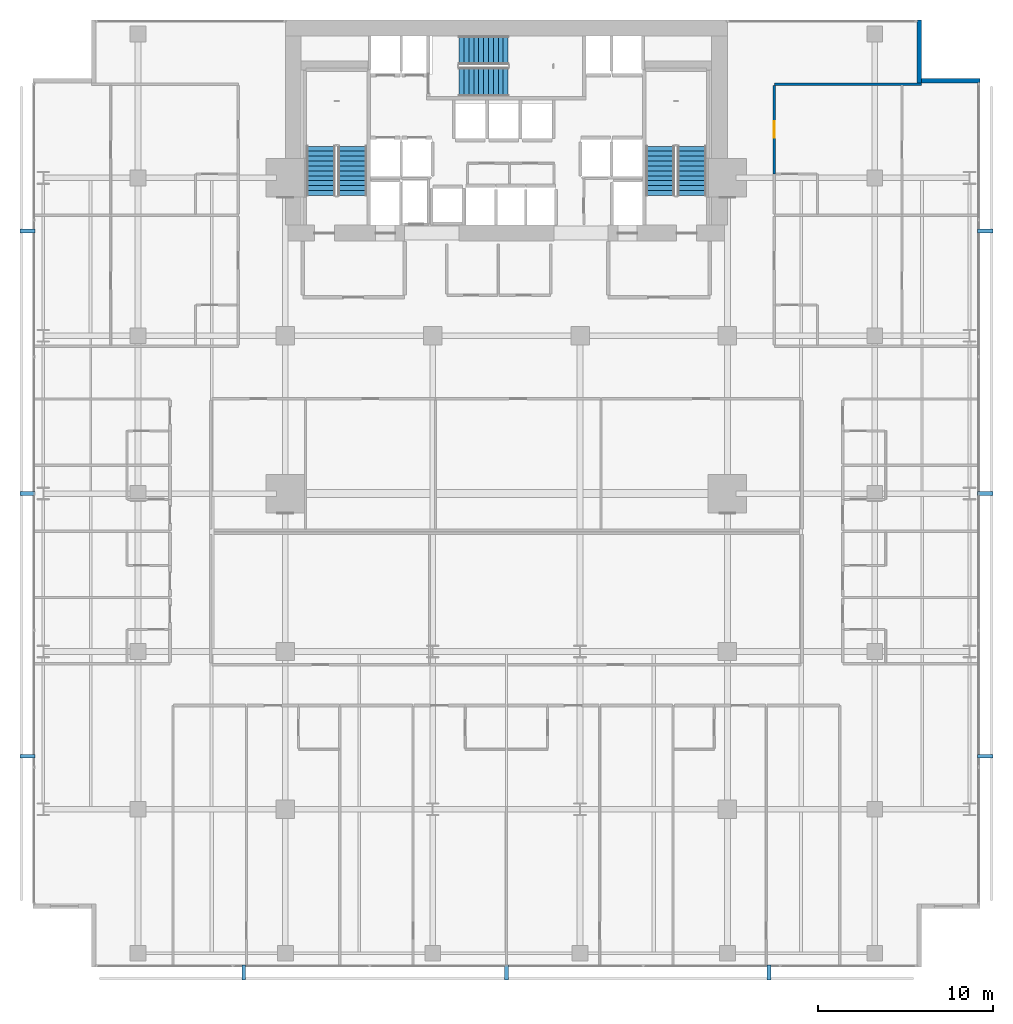
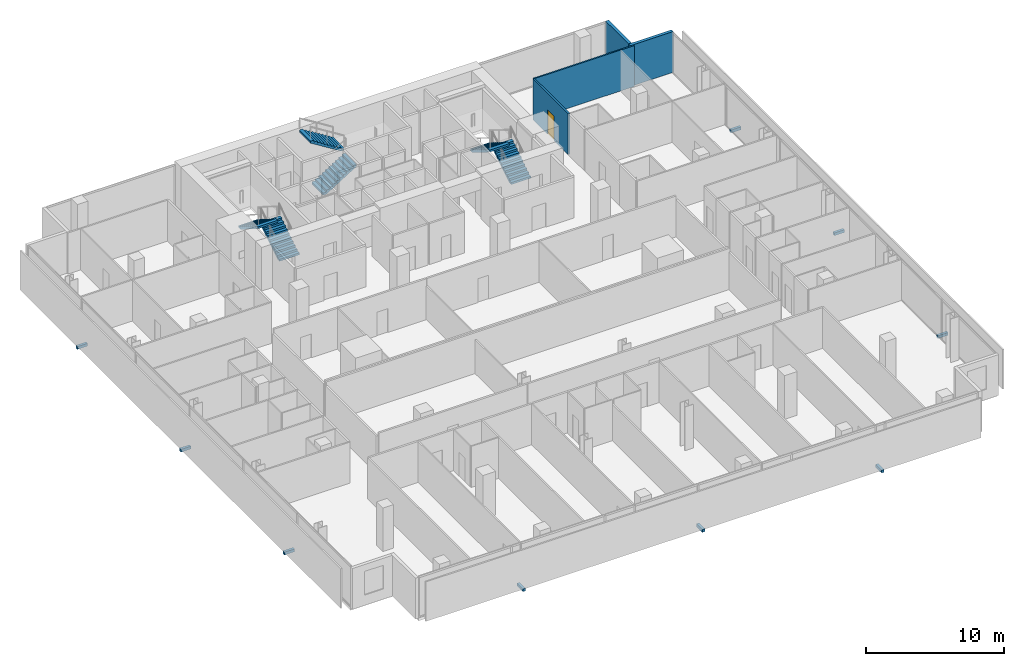
# One storey, part 38 of 40: 9 discrete accessories, 6 stair flights, 4 walls, 1 door, 1 opening, 3 elements without a shape of their own.
"""IFC4 building model written with IfcOpenShell, lengths in metres."""

from ifc_helpers import new_model, si_unit, direction, frame, frame_2d, origin, origin_2d, place, context, subcontext, project, spatial, polyline, rectangle, outline, extrude, material, layer, layer_set, type_object, element, fill, aggregate, save


model = new_model("IFC4")

# Units and contexts
model_context = context("Model", 3, precision=1e-05, world=origin(), true_north=direction((0.0, 1.0)))
body_context = subcontext(model_context, "Body", "Model", "MODEL_VIEW")
ifc_project = project(units=[si_unit("LENGTHUNIT", "METRE"), si_unit("AREAUNIT", "SQUARE_METRE"), si_unit("VOLUMEUNIT", "CUBIC_METRE"), si_unit("PLANEANGLEUNIT", "RADIAN"), si_unit("MASSUNIT", "GRAM", prefix="KILO")], contexts=[model_context])

# Site, building, storey
site_placement = place(None, origin())
site = spatial("IfcSite", under=ifc_project, at=site_placement, CompositionType="ELEMENT")
building_placement = place(site_placement, origin())
building = spatial("IfcBuilding", under=site, at=building_placement, Name="Maruvema Waterfront Hotel and Observation Tower", CompositionType="ELEMENT")
storey_placement = place(building_placement, frame((0.0, 0.0, 107.800048828125)))
storey = spatial("IfcBuildingStorey", under=building, at=storey_placement, Name="L26", CompositionType="ELEMENT", Elevation=107.800048828125)

# Wall, opening, door
ifc_material_1 = material(Name="Twin-stud acoustic gypsum drywall", Category="gypsum")
ifc_layer_1 = layer(ifc_material_1, 0.14990234375, Name="Acoustic Corridor and Suite Demising Wall 150 mm")
ifc_layer_set_1 = layer_set([ifc_layer_1], Name="Twin-stud acoustic gypsum drywall")
wall_type_1 = type_object("IfcWallType", Name="Acoustic Corridor and Suite Demising Wall 150 mm", PredefinedType="PARTITIONING", material=ifc_layer_set_1)
wall_1_placement = place(storey_placement, frame((53.080078125, 45.21875, 0.0), z_axis=(0.0, 0.0, 1.0), x_axis=(0.0, 1.0, 0.0)))
wall_1 = element("IfcWall", 1, at=wall_1_placement, inside=storey, type_object=wall_type_1, Name="L26 Room L26-NE2 Corridor Wall 131", PredefinedType="PARTITIONING", context=body_context, shape_type="SweptSolid", body=[
    extrude(rectangle(XDim=5.058837890625, YDim=0.14990234375, at=frame_2d((2.529296875, 0.0))), origin(), (0.0, 0.0, 1.0), 3.60986328125),
])
opening_placement = place(wall_1_placement, frame((2.054443359375, 0.0, 0.0)))
opening = element("IfcOpeningElement", 2, at=opening_placement, cuts=wall_1, Name="Opening DR-095", PredefinedType="OPENING", context=body_context, shape_type="SweptSolid", body=[
    extrude(rectangle(XDim=0.949951171875, YDim=2.14990234375, at=frame_2d((0.47509765625, 1.074951171875))), frame((0.0, 0.0849609375, 0.0), z_axis=(0.0, -1.0, 0.0), x_axis=(1.0, 0.0, 0.0)), (0.0, 0.0, 1.0), 0.169921875),
])
ifc_material_2 = material(Name="Acoustic solid-core hardwood timber leaf", Category="wood")
door_type = type_object("IfcDoorType", Name="Guestroom Entrance Fire Door 950x2150 mm", OperationType="NOTDEFINED", PredefinedType="DOOR", material=ifc_material_2)
door_placement = place(opening_placement, frame((0.949951171875, 0.0, 0.0), z_axis=(0.0, 0.0, 1.0), x_axis=(-1.0, 0.0, 0.0)))
door = element("IfcDoor", 3, at=door_placement, inside=storey, type_object=door_type, Name="L26 Room L26-NE2 Entrance Door", OperationType="SINGLE_SWING_RIGHT", OverallHeight=2.14990234375, OverallWidth=0.949951171875, PredefinedType="DOOR", context=body_context, shape_type="SweptSolid", body=[
    extrude(rectangle(XDim=0.949951171875, YDim=2.14990234375, at=frame_2d((0.47509765625, 1.074951171875))), frame((0.0, 0.02490234375, 0.0), z_axis=(0.0, -1.0, 0.0), x_axis=(1.0, 0.0, 0.0)), (0.0, 0.0, 1.0), 0.050048828125),
])
fill(opening, door)

# Walls
ifc_material_3 = material(Name="Precast concrete C45/55 with honed Pernambuco granite facing", Category="masonry")
ifc_layer_2 = layer(ifc_material_3, 0.260009765625, Name="Exterior Granite Clad Spandrel and Pier Wall 260 mm")
ifc_layer_set_2 = layer_set([ifc_layer_2], Name="Precast concrete C45/55 with honed Pernambuco granite facing")
wall_type_2 = type_object("IfcWallType", Name="Exterior Granite Clad Spandrel and Pier Wall 260 mm", PredefinedType="SOLIDWALL", material=ifc_layer_set_2)
for number, where, z_axis, x_axis, name in (
    (4, (61.330078125, 54.0, 0.0), (0.0, 0.0, 1.0), (0.0, -1.0, 0.0), "L26 Corner Notch Granite Pier Wall NE1"),
    (5, (61.199951171875, 50.530029296875, 0.0), (0.0, 0.0, 1.0), (1.0, 0.0, 0.0), "L26 Corner Notch Granite Pier Wall NE2"),
):
    element("IfcWall", number, at=place(storey_placement, frame(where, z_axis=z_axis, x_axis=x_axis)), inside=storey, type_object=wall_type_2, Name=name, PredefinedType="SOLIDWALL", context=body_context, shape_type="SweptSolid", body=[
        extrude(rectangle(XDim=3.60009765625, YDim=0.260009765625, at=frame_2d((1.800048828125, 0.0))), origin(), (0.0, 0.0, 1.0), 3.60986328125),
    ])
ifc_material_4 = material(Name="Acoustic gypsum plasterboard drywall", Category="gypsum")
ifc_layer_3 = layer(ifc_material_4, 0.125, Name="Guestroom Acoustic Demising Wall 125 mm")
ifc_layer_set_3 = layer_set([ifc_layer_3], Name="Acoustic gypsum plasterboard drywall")
wall_type_3 = type_object("IfcWallType", Name="Guestroom Acoustic Demising Wall 125 mm", PredefinedType="PARTITIONING", material=ifc_layer_set_3)
wall_2_placement = place(storey_placement, frame((53.080078125, 50.33740234375, 0.0), z_axis=(0.0, 0.0, 1.0), x_axis=(1.0, 0.0, 0.0)))
element("IfcWall", 6, at=wall_2_placement, inside=storey, type_object=wall_type_3, Name="L26 NE Top End 112", PredefinedType="PARTITIONING", context=body_context, shape_type="SweptSolid", body=[
    extrude(rectangle(XDim=8.3798828125, YDim=0.125, at=frame_2d((4.18994140625, 0.0))), origin(), (0.0, 0.0, 1.0), 3.60986328125),
])

# Stair, stair flights
ifc_material_5 = material(Name="Concrete C50/60", Category="concrete")
stair_type = type_object("IfcStairType", Name="Dogleg Exit Stair 1650 mm (22R x 175.0 mm)", PredefinedType="HALF_TURN_STAIR", material=ifc_material_5)
stair_1_placement = place(storey_placement, origin())
stair_1 = element("IfcStair", 7, at=stair_1_placement, inside=storey, type_object=stair_type, Name="L26 ST-01", PredefinedType="HALF_TURN_STAIR")
ifc_material_6 = material(Name="Concrete C50/60", Category="concrete")
stair_flight_type = type_object("IfcStairFlightType", Name="Reinforced Concrete Stair Flight 1650 mm (11R x 175.0 mm)", PredefinedType="STRAIGHT", material=ifc_material_6)
stair_flight_1_placement = place(storey_placement, frame((29.02490234375, 44.0, 0.0), z_axis=(0.0, 0.0, 1.0), x_axis=(0.0, 1.0, 0.0)))
stair_flight_1 = element("IfcStairFlight", 8, at=stair_flight_1_placement, type_object=stair_flight_type, Name="ST-01 flight 1", NumberOfRisers=11, NumberOfTreads=10, PredefinedType="STRAIGHT", RiserHeight=0.175, TreadLength=0.28, context=body_context, shape_type="SweptSolid", body=[
    extrude(outline(polyline([(0.0, 0.0), (0.0, 0.175048828125), (0.280029296875, 0.175048828125), (0.280029296875, 0.35009765625), (0.56005859375, 0.35009765625), (0.56005859375, 0.52490234375), (0.840087890625, 0.52490234375), (0.840087890625, 0.699951171875), (1.1201171875, 0.699951171875), (1.1201171875, 0.875), (1.39990234375, 0.875), (1.39990234375, 1.050048828125), (1.679931640625, 1.050048828125), (1.679931640625, 1.22509765625), (1.9599609375, 1.22509765625), (1.9599609375, 1.39990234375), (2.239990234375, 1.39990234375), (2.239990234375, 1.574951171875), (2.52001953125, 1.574951171875), (2.52001953125, 1.75), (2.800048828125, 1.75), (2.800048828125, 1.925048828125), (2.800048828125, 1.5732421875), (0.28271484375, 0.0), (0.0, 0.0)])), frame((0.0, 0.824951171875, 0.0), z_axis=(0.0, -1.0, 0.0), x_axis=(1.0, 0.0, 0.0)), (0.0, 0.0, 1.0), 1.64990234375),
])
stair_flight_2_placement = place(storey_placement, frame((27.22509765625, 46.800048828125, 1.925048828125), z_axis=(0.0, 0.0, 1.0), x_axis=(0.0, -1.0, 0.0)))
stair_flight_2 = element("IfcStairFlight", 9, at=stair_flight_2_placement, type_object=stair_flight_type, Name="ST-01 flight 2", NumberOfRisers=11, NumberOfTreads=10, PredefinedType="STRAIGHT", RiserHeight=0.175, TreadLength=0.28, context=body_context, shape_type="SweptSolid", body=[
    extrude(outline(polyline([(0.0, 0.0), (0.0, 0.175048828125), (0.280029296875, 0.175048828125), (0.280029296875, 0.35009765625), (0.56005859375, 0.35009765625), (0.56005859375, 0.52490234375), (0.840087890625, 0.52490234375), (0.840087890625, 0.699951171875), (1.1201171875, 0.699951171875), (1.1201171875, 0.875), (1.39990234375, 0.875), (1.39990234375, 1.050048828125), (1.679931640625, 1.050048828125), (1.679931640625, 1.22509765625), (1.9599609375, 1.22509765625), (1.9599609375, 1.39990234375), (2.239990234375, 1.39990234375), (2.239990234375, 1.574951171875), (2.52001953125, 1.574951171875), (2.52001953125, 1.75), (2.800048828125, 1.75), (2.800048828125, 1.925048828125), (2.800048828125, 1.5732421875), (0.28271484375, 0.0), (0.0, 0.0)])), frame((0.0, 0.824951171875, 0.0), z_axis=(0.0, -1.0, 0.0), x_axis=(1.0, 0.0, 0.0)), (0.0, 0.0, 1.0), 1.64990234375),
])
aggregate(stair_1, [stair_flight_1, stair_flight_2])

stair_2_placement = place(storey_placement, origin())
stair_2 = element("IfcStair", 10, at=stair_2_placement, inside=storey, type_object=stair_type, Name="L26 ST-02", PredefinedType="HALF_TURN_STAIR")
stair_flight_3_placement = place(storey_placement, frame((35.10009765625, 50.47509765625, 0.0), z_axis=(0.0, 0.0, 1.0), x_axis=(1.0, 0.0, 0.0)))
stair_flight_3 = element("IfcStairFlight", 11, at=stair_flight_3_placement, type_object=stair_flight_type, Name="ST-02 flight 1", NumberOfRisers=11, NumberOfTreads=10, PredefinedType="STRAIGHT", RiserHeight=0.175, TreadLength=0.28, context=body_context, shape_type="SweptSolid", body=[
    extrude(outline(polyline([(0.0, 0.0), (0.0, 0.175048828125), (0.280029296875, 0.175048828125), (0.280029296875, 0.35009765625), (0.56005859375, 0.35009765625), (0.56005859375, 0.52490234375), (0.840087890625, 0.52490234375), (0.840087890625, 0.699951171875), (1.1201171875, 0.699951171875), (1.1201171875, 0.875), (1.39990234375, 0.875), (1.39990234375, 1.050048828125), (1.679931640625, 1.050048828125), (1.679931640625, 1.22509765625), (1.9599609375, 1.22509765625), (1.9599609375, 1.39990234375), (2.239990234375, 1.39990234375), (2.239990234375, 1.574951171875), (2.52001953125, 1.574951171875), (2.52001953125, 1.75), (2.800048828125, 1.75), (2.800048828125, 1.925048828125), (2.800048828125, 1.5732421875), (0.28271484375, 0.0), (0.0, 0.0)])), frame((0.0, 0.824951171875, 0.0), z_axis=(0.0, -1.0, 0.0), x_axis=(1.0, 0.0, 0.0)), (0.0, 0.0, 1.0), 1.64990234375),
])
stair_flight_4_placement = place(storey_placement, frame((37.89990234375, 52.27490234375, 1.925048828125), z_axis=(0.0, 0.0, 1.0), x_axis=(-1.0, 0.0, 0.0)))
stair_flight_4 = element("IfcStairFlight", 12, at=stair_flight_4_placement, type_object=stair_flight_type, Name="ST-02 flight 2", NumberOfRisers=11, NumberOfTreads=10, PredefinedType="STRAIGHT", RiserHeight=0.175, TreadLength=0.28, context=body_context, shape_type="SweptSolid", body=[
    extrude(outline(polyline([(0.0, 0.0), (0.0, 0.175048828125), (0.280029296875, 0.175048828125), (0.280029296875, 0.35009765625), (0.56005859375, 0.35009765625), (0.56005859375, 0.52490234375), (0.840087890625, 0.52490234375), (0.840087890625, 0.699951171875), (1.1201171875, 0.699951171875), (1.1201171875, 0.875), (1.39990234375, 0.875), (1.39990234375, 1.050048828125), (1.679931640625, 1.050048828125), (1.679931640625, 1.22509765625), (1.9599609375, 1.22509765625), (1.9599609375, 1.39990234375), (2.239990234375, 1.39990234375), (2.239990234375, 1.574951171875), (2.52001953125, 1.574951171875), (2.52001953125, 1.75), (2.800048828125, 1.75), (2.800048828125, 1.925048828125), (2.800048828125, 1.5732421875), (0.28271484375, 0.0), (0.0, 0.0)])), frame((0.0, 0.824951171875, 0.0), z_axis=(0.0, -1.0, 0.0), x_axis=(1.0, 0.0, 0.0)), (0.0, 0.0, 1.0), 1.64990234375),
])
aggregate(stair_2, [stair_flight_3, stair_flight_4])

stair_3_placement = place(storey_placement, origin())
stair_3 = element("IfcStair", 13, at=stair_3_placement, inside=storey, type_object=stair_type, Name="L26 ST-03", PredefinedType="HALF_TURN_STAIR")
stair_flight_5_placement = place(storey_placement, frame((48.375, 44.0, 0.0), z_axis=(0.0, 0.0, 1.0), x_axis=(0.0, 1.0, 0.0)))
stair_flight_5 = element("IfcStairFlight", 14, at=stair_flight_5_placement, type_object=stair_flight_type, Name="ST-03 flight 1", NumberOfRisers=11, NumberOfTreads=10, PredefinedType="STRAIGHT", RiserHeight=0.175, TreadLength=0.28, context=body_context, shape_type="SweptSolid", body=[
    extrude(outline(polyline([(0.0, 0.0), (0.0, 0.175048828125), (0.280029296875, 0.175048828125), (0.280029296875, 0.35009765625), (0.56005859375, 0.35009765625), (0.56005859375, 0.52490234375), (0.840087890625, 0.52490234375), (0.840087890625, 0.699951171875), (1.1201171875, 0.699951171875), (1.1201171875, 0.875), (1.39990234375, 0.875), (1.39990234375, 1.050048828125), (1.679931640625, 1.050048828125), (1.679931640625, 1.22509765625), (1.9599609375, 1.22509765625), (1.9599609375, 1.39990234375), (2.239990234375, 1.39990234375), (2.239990234375, 1.574951171875), (2.52001953125, 1.574951171875), (2.52001953125, 1.75), (2.800048828125, 1.75), (2.800048828125, 1.925048828125), (2.800048828125, 1.5732421875), (0.28271484375, 0.0), (0.0, 0.0)])), frame((0.0, 0.824951171875, 0.0), z_axis=(0.0, -1.0, 0.0), x_axis=(1.0, 0.0, 0.0)), (0.0, 0.0, 1.0), 1.64990234375),
])
stair_flight_6_placement = place(storey_placement, frame((46.574951171875, 46.800048828125, 1.925048828125), z_axis=(0.0, 0.0, 1.0), x_axis=(0.0, -1.0, 0.0)))
stair_flight_6 = element("IfcStairFlight", 15, at=stair_flight_6_placement, type_object=stair_flight_type, Name="ST-03 flight 2", NumberOfRisers=11, NumberOfTreads=10, PredefinedType="STRAIGHT", RiserHeight=0.175, TreadLength=0.28, context=body_context, shape_type="SweptSolid", body=[
    extrude(outline(polyline([(0.0, 0.0), (0.0, 0.175048828125), (0.280029296875, 0.175048828125), (0.280029296875, 0.35009765625), (0.56005859375, 0.35009765625), (0.56005859375, 0.52490234375), (0.840087890625, 0.52490234375), (0.840087890625, 0.699951171875), (1.1201171875, 0.699951171875), (1.1201171875, 0.875), (1.39990234375, 0.875), (1.39990234375, 1.050048828125), (1.679931640625, 1.050048828125), (1.679931640625, 1.22509765625), (1.9599609375, 1.22509765625), (1.9599609375, 1.39990234375), (2.239990234375, 1.39990234375), (2.239990234375, 1.574951171875), (2.52001953125, 1.574951171875), (2.52001953125, 1.75), (2.800048828125, 1.75), (2.800048828125, 1.925048828125), (2.800048828125, 1.5732421875), (0.28271484375, 0.0), (0.0, 0.0)])), frame((0.0, 0.824951171875, 0.0), z_axis=(0.0, -1.0, 0.0), x_axis=(1.0, 0.0, 0.0)), (0.0, 0.0, 1.0), 1.64990234375),
])
aggregate(stair_3, [stair_flight_5, stair_flight_6])

# Discrete accessories
ifc_material_7 = material(Name="Duplex stainless steel Grade 2205", Category="steel")
discrete_accessory_type = type_object("IfcDiscreteAccessoryType", Name="Double-Skin Cavity Stainless Outrigger Bracket", PredefinedType="BRACKET", material=ifc_material_7)
for number, where, z_axis, x_axis, name in (
    (16, (22.823974609375, -0.300048828125, -0.14013671875), (0.0, 0.0, 1.0), (1.0, 0.0, 0.0), "L26 Outer Skin Support Bracket 1"),
    (17, (37.800048828125, -0.300048828125, -0.14013671875), (0.0, 0.0, 1.0), (1.0, 0.0, 0.0), "L26 Outer Skin Support Bracket 2"),
    (18, (52.77587890625, -0.300048828125, -0.14013671875), (0.0, 0.0, 1.0), (1.0, 0.0, 0.0), "L26 Outer Skin Support Bracket 3"),
    (19, (65.10009765625, 12.02392578125, -0.14013671875), (0.0, 0.0, 1.0), (0.0, 1.0, 0.0), "L26 Outer Skin Support Bracket 1"),
    (20, (65.10009765625, 27.0, -0.14013671875), (0.0, 0.0, 1.0), (0.0, 1.0, 0.0), "L26 Outer Skin Support Bracket 2"),
    (21, (65.10009765625, 41.97607421875, -0.14013671875), (0.0, 0.0, 1.0), (0.0, 1.0, 0.0), "L26 Outer Skin Support Bracket 3"),
    (22, (10.5, 41.97607421875, -0.14013671875), (0.0, 0.0, 1.0), (0.0, -1.0, 0.0), "L26 Outer Skin Support Bracket 1"),
    (23, (10.5, 27.0, -0.14013671875), (0.0, 0.0, 1.0), (0.0, -1.0, 0.0), "L26 Outer Skin Support Bracket 2"),
    (24, (10.5, 12.02392578125, -0.14013671875), (0.0, 0.0, 1.0), (0.0, -1.0, 0.0), "L26 Outer Skin Support Bracket 3"),
):
    element("IfcDiscreteAccessory", number, at=place(storey_placement, frame(where, z_axis=z_axis, x_axis=x_axis)), inside=storey, type_object=discrete_accessory_type, Name=name, PredefinedType="BRACKET", context=body_context, shape_type="SweptSolid", body=[
        extrude(rectangle(XDim=0.219970703125, YDim=0.860107421875, at=origin_2d()), origin(), (0.0, 0.0, 1.0), 0.239990234375),
    ])

save(model, "model.ifc")
